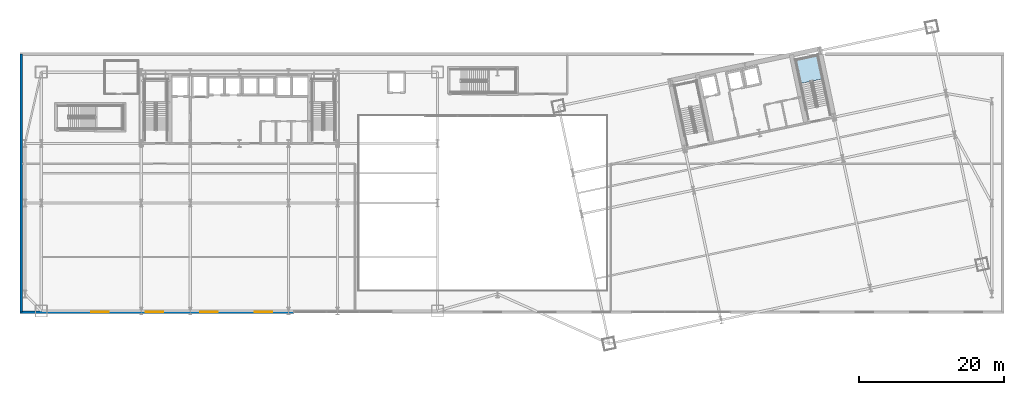
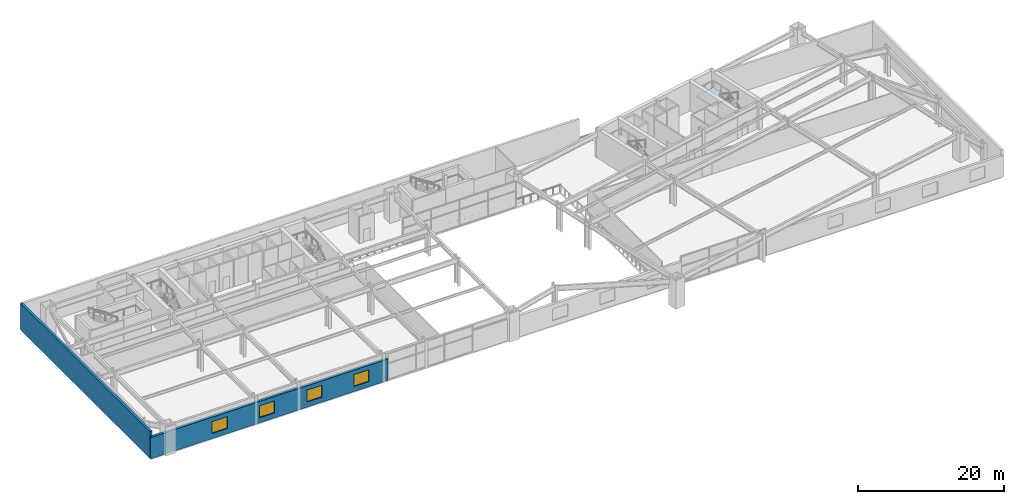
# One storey, part 16 of 30: 4 windows, 2 walls, 1 slab, 4 openings, 1 element without a shape of its own.
"""IFC4 building model written with IfcOpenShell, lengths in metres."""

from ifc_helpers import new_model, si_unit, direction, frame, frame_2d, origin, place, context, subcontext, project, spatial, polyline, rectangle, outline, extrude, material, layer, layer_set, type_object, element, fill, aggregate, save


model = new_model("IFC4")

# Units and contexts
model_context = context("Model", 3, precision=1e-05, world=origin(), true_north=direction((0.0, 1.0)))
body_context = subcontext(model_context, "Body", "Model", "MODEL_VIEW")
ifc_project = project(units=[si_unit("LENGTHUNIT", "METRE"), si_unit("AREAUNIT", "SQUARE_METRE"), si_unit("VOLUMEUNIT", "CUBIC_METRE"), si_unit("PLANEANGLEUNIT", "RADIAN"), si_unit("MASSUNIT", "GRAM", prefix="KILO")], contexts=[model_context])

# Site, building, storey
site_placement = place(None, origin())
site = spatial("IfcSite", under=ifc_project, at=site_placement, CompositionType="ELEMENT")
building_placement = place(site_placement, origin())
building = spatial("IfcBuilding", under=site, at=building_placement, Name="Haevon Station Towers", CompositionType="ELEMENT")
storey_placement = place(building_placement, frame((0.0, 0.0, 15.60009765625)))
storey = spatial("IfcBuildingStorey", under=building, at=storey_placement, Name="L03", CompositionType="ELEMENT", Elevation=15.60009765625)

# Stair, slab
ifc_material_1 = material(Name="Concrete C40/50", Category="concrete")
stair_type = type_object("IfcStairType", Name="STR-DL1450", PredefinedType="USERDEFINED", material=ifc_material_1)
stair_placement = place(storey_placement, origin())
stair = element("IfcStair", 1, at=stair_placement, inside=storey, type_object=stair_type, Name="L03 Escape Stair ST4", ObjectType="TWO_RETURN_STAIR", PredefinedType="USERDEFINED")
ifc_layer_1 = layer(ifc_material_1, 0.199951171875)
ifc_layer_set_1 = layer_set([ifc_layer_1], Name="Concrete C40/50")
slab_type = type_object("IfcSlabType", Name="SL-LND200", PredefinedType="LANDING", material=ifc_layer_set_1)
slab_placement = place(storey_placement, frame((0.0, 0.0, 2.199951171875)))
slab = element("IfcSlab", 2, at=slab_placement, type_object=slab_type, Name="L03 ST4 Half Landing 1", PredefinedType="LANDING", context=body_context, shape_type="SweptSolid", body=[
    extrude(outline(polyline([(117.742431640625, 47.08544921875), (117.052978515625, 50.328857421875), (114.020751953125, 49.684326171875), (114.710205078125, 46.44091796875), (117.742431640625, 47.08544921875)])), origin(), (0.0, 0.0, 1.0), 0.199951171875),
])
aggregate(stair, [slab])

# Wall, openings, windows
ifc_material_2 = material(Name="Precast concrete C45/55", Category="concrete")
ifc_layer_2 = layer(ifc_material_2, 0.360107421875)
ifc_layer_set_2 = layer_set([ifc_layer_2], Name="Precast concrete C45/55")
wall_type = type_object("IfcWallType", Name="WL-EXT-POD360", PredefinedType="SOLIDWALL", material=ifc_layer_set_2)
wall_1_placement = place(storey_placement, frame((45.0, 15.0, 0.0), z_axis=(0.0, 0.0, 1.0), x_axis=(-1.0, 0.0, 0.0)))
wall_1 = element("IfcWall", 3, at=wall_1_placement, inside=storey, type_object=wall_type, Name="WL-POD-L03-S3", PredefinedType="SOLIDWALL", context=body_context, shape_type="SweptSolid", body=[
    extrude(rectangle(XDim=37.679931640625, YDim=0.360107421875, at=frame_2d((18.83984375, 0.0))), origin(), (0.0, 0.0, 1.0), 3.579833984375),
])
opening_1_placement = place(wall_1_placement, frame((3.0, 0.0, 0.85009765625)))
opening_1 = element("IfcOpeningElement", 4, at=opening_1_placement, cuts=wall_1, Name="Opening WN-P240", PredefinedType="OPENING", context=body_context, shape_type="SweptSolid", body=[
    extrude(rectangle(XDim=2.39990234375, YDim=2.0, at=frame_2d((1.199951171875, 1.0))), frame((0.0, 0.18994140625, 0.0), z_axis=(0.0, -1.0, 0.0), x_axis=(1.0, 0.0, 0.0)), (0.0, 0.0, 1.0), 0.380126953125),
])
opening_2_placement = place(wall_1_placement, frame((10.5, 0.0, 0.85009765625)))
opening_2 = element("IfcOpeningElement", 5, at=opening_2_placement, cuts=wall_1, Name="Opening WN-P240", PredefinedType="OPENING", context=body_context, shape_type="SweptSolid", body=[
    extrude(rectangle(XDim=2.39990234375, YDim=2.0, at=frame_2d((1.199951171875, 1.0))), frame((0.0, 0.18994140625, 0.0), z_axis=(0.0, -1.0, 0.0), x_axis=(1.0, 0.0, 0.0)), (0.0, 0.0, 1.0), 0.380126953125),
])
opening_3_placement = place(wall_1_placement, frame((18.0, 0.0, 0.85009765625)))
opening_3 = element("IfcOpeningElement", 6, at=opening_3_placement, cuts=wall_1, Name="Opening WN-P240", PredefinedType="OPENING", context=body_context, shape_type="SweptSolid", body=[
    extrude(rectangle(XDim=2.39990234375, YDim=2.0, at=frame_2d((1.199951171875, 1.0))), frame((0.0, 0.18994140625, 0.0), z_axis=(0.0, -1.0, 0.0), x_axis=(1.0, 0.0, 0.0)), (0.0, 0.0, 1.0), 0.380126953125),
])
opening_4_placement = place(wall_1_placement, frame((25.5, 0.0, 0.85009765625)))
opening_4 = element("IfcOpeningElement", 7, at=opening_4_placement, cuts=wall_1, Name="Opening WN-P240", PredefinedType="OPENING", context=body_context, shape_type="SweptSolid", body=[
    extrude(rectangle(XDim=2.39990234375, YDim=2.0, at=frame_2d((1.199951171875, 1.0))), frame((0.0, 0.18994140625, 0.0), z_axis=(0.0, -1.0, 0.0), x_axis=(1.0, 0.0, 0.0)), (0.0, 0.0, 1.0), 0.380126953125),
])
ifc_material_3 = material(Name="Low-E triple glazing in thermally broken aluminium", Category="aluminium")
window_type = type_object("IfcWindowType", Name="WN-P240", PartitioningType="SINGLE_PANEL", PredefinedType="WINDOW", material=ifc_material_3)
window_1_placement = place(opening_1_placement, origin())
window_1 = element("IfcWindow", 8, at=window_1_placement, inside=storey, type_object=window_type, Name="WN-POD-L03-S3-01", OverallHeight=2.0, OverallWidth=2.39990234375, PartitioningType="SINGLE_PANEL", PredefinedType="WINDOW", context=body_context, shape_type="SweptSolid", body=[
    extrude(rectangle(XDim=2.39990234375, YDim=2.0, at=frame_2d((1.199951171875, 1.0))), frame((0.0, 0.030029296875, 0.0), z_axis=(0.0, -1.0, 0.0), x_axis=(1.0, 0.0, 0.0)), (0.0, 0.0, 1.0), 0.06005859375),
])
fill(opening_1, window_1)
window_2_placement = place(opening_2_placement, origin())
window_2 = element("IfcWindow", 9, at=window_2_placement, inside=storey, type_object=window_type, Name="WN-POD-L03-S3-02", OverallHeight=2.0, OverallWidth=2.39990234375, PartitioningType="SINGLE_PANEL", PredefinedType="WINDOW", context=body_context, shape_type="SweptSolid", body=[
    extrude(rectangle(XDim=2.39990234375, YDim=2.0, at=frame_2d((1.199951171875, 1.0))), frame((0.0, 0.030029296875, 0.0), z_axis=(0.0, -1.0, 0.0), x_axis=(1.0, 0.0, 0.0)), (0.0, 0.0, 1.0), 0.06005859375),
])
fill(opening_2, window_2)
window_3_placement = place(opening_3_placement, origin())
window_3 = element("IfcWindow", 10, at=window_3_placement, inside=storey, type_object=window_type, Name="WN-POD-L03-S3-03", OverallHeight=2.0, OverallWidth=2.39990234375, PartitioningType="SINGLE_PANEL", PredefinedType="WINDOW", context=body_context, shape_type="SweptSolid", body=[
    extrude(rectangle(XDim=2.39990234375, YDim=2.0, at=frame_2d((1.199951171875, 1.0))), frame((0.0, 0.030029296875, 0.0), z_axis=(0.0, -1.0, 0.0), x_axis=(1.0, 0.0, 0.0)), (0.0, 0.0, 1.0), 0.06005859375),
])
fill(opening_3, window_3)
window_4_placement = place(opening_4_placement, origin())
window_4 = element("IfcWindow", 11, at=window_4_placement, inside=storey, type_object=window_type, Name="WN-POD-L03-S3-04", OverallHeight=2.0, OverallWidth=2.39990234375, PartitioningType="SINGLE_PANEL", PredefinedType="WINDOW", context=body_context, shape_type="SweptSolid", body=[
    extrude(rectangle(XDim=2.39990234375, YDim=2.0, at=frame_2d((1.199951171875, 1.0))), frame((0.0, 0.030029296875, 0.0), z_axis=(0.0, -1.0, 0.0), x_axis=(1.0, 0.0, 0.0)), (0.0, 0.0, 1.0), 0.06005859375),
])
fill(opening_4, window_4)

# Wall
wall_2_placement = place(storey_placement, frame((7.5, 15.0, 0.0), z_axis=(0.0, 0.0, 1.0), x_axis=(0.0, 1.0, 0.0)))
element("IfcWall", 12, at=wall_2_placement, inside=storey, type_object=wall_type, Name="WL-POD-L03-W", PredefinedType="SOLIDWALL", context=body_context, shape_type="SweptSolid", body=[
    extrude(rectangle(XDim=35.5, YDim=0.360107421875, at=frame_2d((17.75, 0.0))), origin(), (0.0, 0.0, 1.0), 4.47998046875),
])

save(model, "model.ifc")
